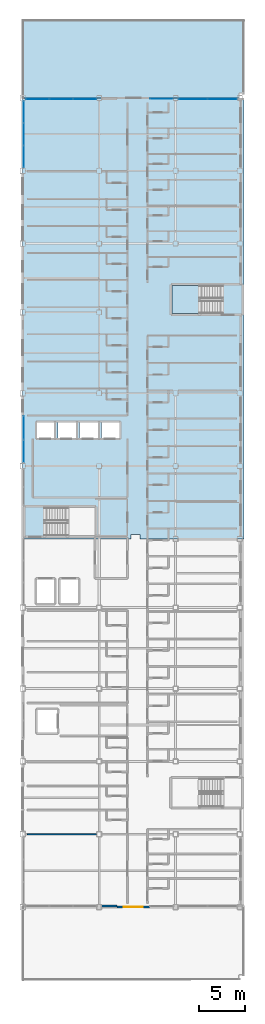
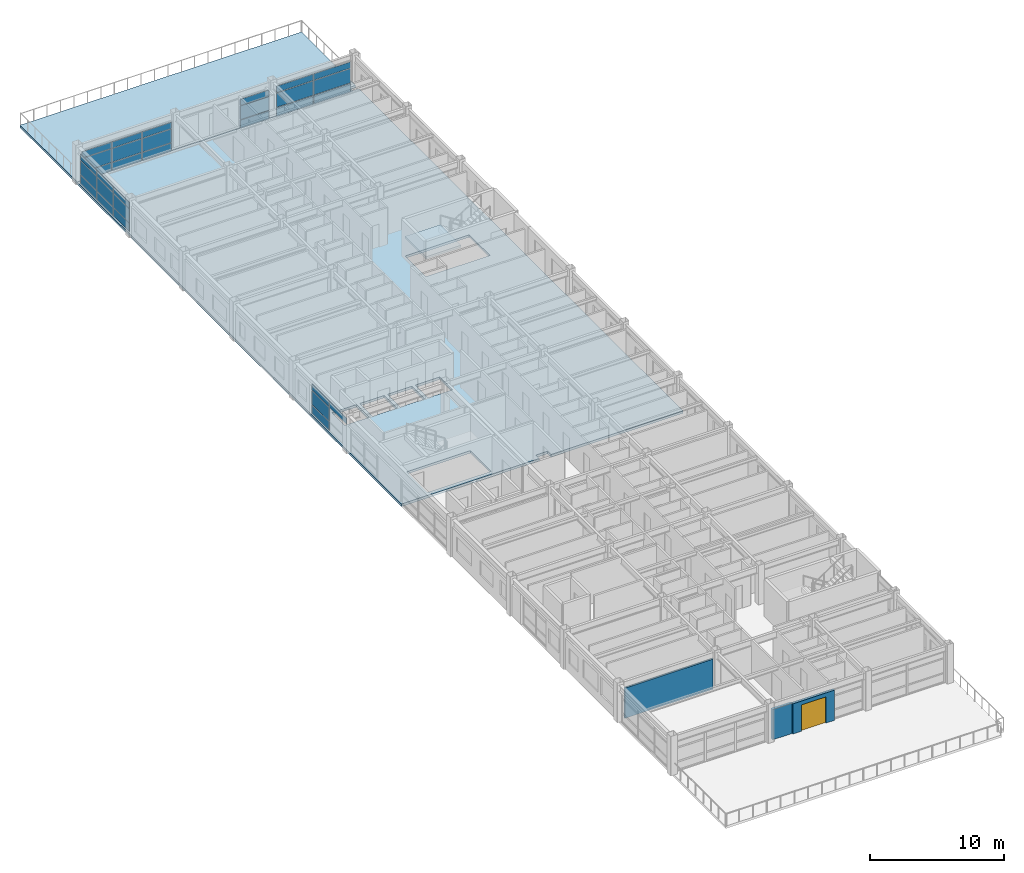
# One storey, part 24 of 36: 31 plates, 3 slabs, 3 walls, 1 door, 1 opening, 6 elements without a shape of their own.
"""IFC4 building model written with IfcOpenShell, lengths in metres."""

from ifc_helpers import new_model, si_unit, direction, frame, frame_2d, origin, origin_2d, place, context, subcontext, project, spatial, polyline, rectangle, outline, extrude, material, layer, layer_set, type_object, element, fill, aggregate, save


model = new_model("IFC4")

# Units and contexts
model_context = context("Model", 3, precision=1e-05, world=origin(), true_north=direction((0.0, 1.0)))
body_context = subcontext(model_context, "Body", "Model", "MODEL_VIEW")
ifc_project = project(units=[si_unit("LENGTHUNIT", "METRE"), si_unit("AREAUNIT", "SQUARE_METRE"), si_unit("VOLUMEUNIT", "CUBIC_METRE"), si_unit("PLANEANGLEUNIT", "RADIAN"), si_unit("MASSUNIT", "GRAM", prefix="KILO")], contexts=[model_context])

# Site, building, storey
site_placement = place(None, origin())
site = spatial("IfcSite", under=ifc_project, at=site_placement, CompositionType="ELEMENT")
building_placement = place(site_placement, origin())
building = spatial("IfcBuilding", under=site, at=building_placement, Name="Kazehara Bluff Congress Hotel", CompositionType="ELEMENT")
storey_placement = place(building_placement, frame((0.0, 0.0, 31.800048828125)))
storey = spatial("IfcBuildingStorey", under=building, at=storey_placement, Name="L07", CompositionType="ELEMENT", Elevation=31.800048828125)

# Curtain wall, plates
ifc_material_1 = material(Name="Anodised aluminium", Category="aluminium")
ifc_layer_1 = layer(ifc_material_1, 0.159912109375)
ifc_layer_set_1 = layer_set([ifc_layer_1], Name="Anodised aluminium")
curtain_wall_type_1 = type_object("IfcCurtainWallType", Name="TP-CW-182", PredefinedType="NOTDEFINED", material=ifc_layer_set_1)
curtain_wall_1_placement = place(storey_placement, origin())
curtain_wall_1 = element("IfcCurtainWall", 1, at=curtain_wall_1_placement, inside=storey, type_object=curtain_wall_type_1, Name="L07 curtain wall CW-182 CW-ENC-V5-L07-14791-9680", PredefinedType="NOTDEFINED")
ifc_material_2 = material(Name="Insulated low-E double glazing", Category="glass")
ifc_layer_2 = layer(ifc_material_2, 0.028076171875)
ifc_layer_set_2 = layer_set([ifc_layer_2], Name="Insulated low-E double glazing")
plate_type_1 = type_object("IfcPlateType", Name="TP-CWP-01", PredefinedType="CURTAIN_PANEL", material=ifc_layer_set_2)
plate_1_placement = place(storey_placement, frame((145.3203125, 96.800048828125, 0.06494140625), z_axis=(0.0, 0.0, 1.0), x_axis=(1.0, 0.0, 0.0)))
plate_1 = element("IfcPlate", 2, at=plate_1_placement, type_object=plate_type_1, Name="CW-182 panel 1.1", PredefinedType="CURTAIN_PANEL", context=body_context, shape_type="SweptSolid", body=[
    extrude(rectangle(XDim=2.5107421875, YDim=0.028076171875, at=origin_2d()), origin(), (0.0, 0.0, 1.0), 0.7275390625),
])
plate_2_placement = place(storey_placement, frame((145.3203125, 96.800048828125, 0.857421875), z_axis=(0.0, 0.0, 1.0), x_axis=(1.0, 0.0, 0.0)))
plate_2 = element("IfcPlate", 3, at=plate_2_placement, type_object=plate_type_1, Name="CW-182 panel 1.2", PredefinedType="CURTAIN_PANEL", context=body_context, shape_type="SweptSolid", body=[
    extrude(rectangle(XDim=2.5107421875, YDim=0.028076171875, at=origin_2d()), origin(), (0.0, 0.0, 1.0), 1.215087890625),
])
plate_3_placement = place(storey_placement, frame((145.3203125, 96.800048828125, 2.1376953125), z_axis=(0.0, 0.0, 1.0), x_axis=(1.0, 0.0, 0.0)))
plate_3 = element("IfcPlate", 4, at=plate_3_placement, type_object=plate_type_1, Name="CW-182 panel 1.3", PredefinedType="CURTAIN_PANEL", context=body_context, shape_type="SweptSolid", body=[
    extrude(rectangle(XDim=2.5107421875, YDim=0.028076171875, at=origin_2d()), origin(), (0.0, 0.0, 1.0), 0.552490234375),
])
plate_4_placement = place(storey_placement, frame((147.91259765625, 96.800048828125, 0.06494140625), z_axis=(0.0, 0.0, 1.0), x_axis=(1.0, 0.0, 0.0)))
plate_4 = element("IfcPlate", 5, at=plate_4_placement, type_object=plate_type_1, Name="CW-182 panel 2.1", PredefinedType="CURTAIN_PANEL", context=body_context, shape_type="SweptSolid", body=[
    extrude(rectangle(XDim=2.543212890625, YDim=0.028076171875, at=origin_2d()), origin(), (0.0, 0.0, 1.0), 0.7275390625),
])
plate_5_placement = place(storey_placement, frame((147.91259765625, 96.800048828125, 0.857421875), z_axis=(0.0, 0.0, 1.0), x_axis=(1.0, 0.0, 0.0)))
plate_5 = element("IfcPlate", 6, at=plate_5_placement, type_object=plate_type_1, Name="CW-182 panel 2.2", PredefinedType="CURTAIN_PANEL", context=body_context, shape_type="SweptSolid", body=[
    extrude(rectangle(XDim=2.543212890625, YDim=0.028076171875, at=origin_2d()), origin(), (0.0, 0.0, 1.0), 1.215087890625),
])
plate_6_placement = place(storey_placement, frame((147.91259765625, 96.800048828125, 2.1376953125), z_axis=(0.0, 0.0, 1.0), x_axis=(1.0, 0.0, 0.0)))
plate_6 = element("IfcPlate", 7, at=plate_6_placement, type_object=plate_type_1, Name="CW-182 panel 2.3", PredefinedType="CURTAIN_PANEL", context=body_context, shape_type="SweptSolid", body=[
    extrude(rectangle(XDim=2.543212890625, YDim=0.028076171875, at=origin_2d()), origin(), (0.0, 0.0, 1.0), 0.552490234375),
])
plate_7_placement = place(storey_placement, frame((150.504638671875, 96.800048828125, 0.06494140625), z_axis=(0.0, 0.0, 1.0), x_axis=(1.0, 0.0, 0.0)))
plate_7 = element("IfcPlate", 8, at=plate_7_placement, type_object=plate_type_1, Name="CW-182 panel 3.1", PredefinedType="CURTAIN_PANEL", context=body_context, shape_type="SweptSolid", body=[
    extrude(rectangle(XDim=2.5107421875, YDim=0.028076171875, at=origin_2d()), origin(), (0.0, 0.0, 1.0), 0.7275390625),
])
plate_8_placement = place(storey_placement, frame((150.504638671875, 96.800048828125, 0.857421875), z_axis=(0.0, 0.0, 1.0), x_axis=(1.0, 0.0, 0.0)))
plate_8 = element("IfcPlate", 9, at=plate_8_placement, type_object=plate_type_1, Name="CW-182 panel 3.2", PredefinedType="CURTAIN_PANEL", context=body_context, shape_type="SweptSolid", body=[
    extrude(rectangle(XDim=2.5107421875, YDim=0.028076171875, at=origin_2d()), origin(), (0.0, 0.0, 1.0), 1.215087890625),
])
plate_9_placement = place(storey_placement, frame((150.504638671875, 96.800048828125, 2.1376953125), z_axis=(0.0, 0.0, 1.0), x_axis=(1.0, 0.0, 0.0)))
plate_9 = element("IfcPlate", 10, at=plate_9_placement, type_object=plate_type_1, Name="CW-182 panel 3.3", PredefinedType="CURTAIN_PANEL", context=body_context, shape_type="SweptSolid", body=[
    extrude(rectangle(XDim=2.5107421875, YDim=0.028076171875, at=origin_2d()), origin(), (0.0, 0.0, 1.0), 0.552490234375),
])
aggregate(curtain_wall_1, [plate_1, plate_2, plate_3, plate_4, plate_5, plate_6, plate_7, plate_8, plate_9])

ifc_material_3 = material(Name="Anodised aluminium", Category="aluminium")
ifc_layer_3 = layer(ifc_material_3, 0.159912109375)
ifc_layer_set_3 = layer_set([ifc_layer_3], Name="Anodised aluminium")
curtain_wall_type_2 = type_object("IfcCurtainWallType", Name="TP-CW-173", PredefinedType="NOTDEFINED", material=ifc_layer_set_3)
curtain_wall_2_placement = place(storey_placement, origin())
curtain_wall_2 = element("IfcCurtainWall", 11, at=curtain_wall_2_placement, inside=storey, type_object=curtain_wall_type_2, Name="L07 curtain wall CW-173 CW-ENC-V5-L07-16402-9680", PredefinedType="NOTDEFINED")
plate_10_placement = place(storey_placement, frame((162.4150390625, 96.800048828125, 0.06005859375), z_axis=(0.0, 0.0, 1.0), x_axis=(1.0, 0.0, 0.0)))
plate_10 = element("IfcPlate", 12, at=plate_10_placement, type_object=plate_type_1, Name="CW-173 panel 1.1", PredefinedType="CURTAIN_PANEL", context=body_context, shape_type="SweptSolid", body=[
    extrude(rectangle(XDim=3.159912109375, YDim=0.028076171875, at=origin_2d()), origin(), (0.0, 0.0, 1.0), 0.764892578125),
])
plate_11_placement = place(storey_placement, frame((162.4150390625, 96.800048828125, 0.885009765625), z_axis=(0.0, 0.0, 1.0), x_axis=(1.0, 0.0, 0.0)))
plate_11 = element("IfcPlate", 13, at=plate_11_placement, type_object=plate_type_1, Name="CW-173 panel 1.2", PredefinedType="CURTAIN_PANEL", context=body_context, shape_type="SweptSolid", body=[
    extrude(rectangle(XDim=3.159912109375, YDim=0.028076171875, at=origin_2d()), origin(), (0.0, 0.0, 1.0), 1.2900390625),
])
plate_12_placement = place(storey_placement, frame((162.4150390625, 96.800048828125, 2.23486328125), z_axis=(0.0, 0.0, 1.0), x_axis=(1.0, 0.0, 0.0)))
plate_12 = element("IfcPlate", 14, at=plate_12_placement, type_object=plate_type_1, Name="CW-173 panel 1.3", PredefinedType="CURTAIN_PANEL", context=body_context, shape_type="SweptSolid", body=[
    extrude(rectangle(XDim=3.159912109375, YDim=0.028076171875, at=origin_2d()), origin(), (0.0, 0.0, 1.0), 0.56005859375),
])
plate_13_placement = place(storey_placement, frame((165.635009765625, 96.800048828125, 0.06005859375), z_axis=(0.0, 0.0, 1.0), x_axis=(1.0, 0.0, 0.0)))
plate_13 = element("IfcPlate", 15, at=plate_13_placement, type_object=plate_type_1, Name="CW-173 panel 2.1", PredefinedType="CURTAIN_PANEL", context=body_context, shape_type="SweptSolid", body=[
    extrude(rectangle(XDim=3.159912109375, YDim=0.028076171875, at=origin_2d()), origin(), (0.0, 0.0, 1.0), 0.764892578125),
])
plate_14_placement = place(storey_placement, frame((165.635009765625, 96.800048828125, 0.885009765625), z_axis=(0.0, 0.0, 1.0), x_axis=(1.0, 0.0, 0.0)))
plate_14 = element("IfcPlate", 16, at=plate_14_placement, type_object=plate_type_1, Name="CW-173 panel 2.2", PredefinedType="CURTAIN_PANEL", context=body_context, shape_type="SweptSolid", body=[
    extrude(rectangle(XDim=3.159912109375, YDim=0.028076171875, at=origin_2d()), origin(), (0.0, 0.0, 1.0), 1.2900390625),
])
plate_15_placement = place(storey_placement, frame((165.635009765625, 96.800048828125, 2.23486328125), z_axis=(0.0, 0.0, 1.0), x_axis=(1.0, 0.0, 0.0)))
plate_15 = element("IfcPlate", 17, at=plate_15_placement, type_object=plate_type_1, Name="CW-173 panel 2.3", PredefinedType="CURTAIN_PANEL", context=body_context, shape_type="SweptSolid", body=[
    extrude(rectangle(XDim=3.159912109375, YDim=0.028076171875, at=origin_2d()), origin(), (0.0, 0.0, 1.0), 0.56005859375),
])
aggregate(curtain_wall_2, [plate_10, plate_11, plate_12, plate_13, plate_14, plate_15])

ifc_material_4 = material(Name="Anodised aluminium", Category="aluminium")
ifc_layer_4 = layer(ifc_material_4, 0.159912109375)
ifc_layer_set_4 = layer_set([ifc_layer_4], Name="Anodised aluminium")
curtain_wall_type_3 = type_object("IfcCurtainWallType", Name="TP-CW-179", PredefinedType="NOTDEFINED", material=ifc_layer_set_4)
curtain_wall_3_placement = place(storey_placement, origin())
curtain_wall_3 = element("IfcCurtainWall", 18, at=curtain_wall_3_placement, inside=storey, type_object=curtain_wall_type_3, Name="L07 curtain wall CW-179 CW-ENC-V5-L07-14380-5938", PredefinedType="NOTDEFINED")
plate_16_placement = place(storey_placement, frame((143.800048828125, 58.077392578125, 2.184814453125), z_axis=(0.0, 0.0, 1.0), x_axis=(0.0, 1.0, 0.0)))
plate_16 = element("IfcPlate", 19, at=plate_16_placement, type_object=plate_type_1, Name="CW-179 panel 1.3", PredefinedType="CURTAIN_PANEL", context=body_context, shape_type="SweptSolid", body=[
    extrude(rectangle(XDim=2.534912109375, YDim=0.028076171875, at=origin_2d()), origin(), (0.0, 0.0, 1.0), 0.56005859375),
])
plate_17_placement = place(storey_placement, frame((143.800048828125, 60.672607421875, 0.06005859375), z_axis=(0.0, 0.0, 1.0), x_axis=(0.0, 1.0, 0.0)))
plate_17 = element("IfcPlate", 20, at=plate_17_placement, type_object=plate_type_1, Name="CW-179 panel 2.1", PredefinedType="CURTAIN_PANEL", context=body_context, shape_type="SweptSolid", body=[
    extrude(rectangle(XDim=2.534912109375, YDim=0.028076171875, at=origin_2d()), origin(), (0.0, 0.0, 1.0), 0.75),
])
plate_18_placement = place(storey_placement, frame((143.800048828125, 60.672607421875, 0.8701171875), z_axis=(0.0, 0.0, 1.0), x_axis=(0.0, 1.0, 0.0)))
plate_18 = element("IfcPlate", 21, at=plate_18_placement, type_object=plate_type_1, Name="CW-179 panel 2.2", PredefinedType="CURTAIN_PANEL", context=body_context, shape_type="SweptSolid", body=[
    extrude(rectangle(XDim=2.534912109375, YDim=0.028076171875, at=origin_2d()), origin(), (0.0, 0.0, 1.0), 1.2548828125),
])
plate_19_placement = place(storey_placement, frame((143.800048828125, 60.672607421875, 2.184814453125), z_axis=(0.0, 0.0, 1.0), x_axis=(0.0, 1.0, 0.0)))
plate_19 = element("IfcPlate", 22, at=plate_19_placement, type_object=plate_type_1, Name="CW-179 panel 2.3", PredefinedType="CURTAIN_PANEL", context=body_context, shape_type="SweptSolid", body=[
    extrude(rectangle(XDim=2.534912109375, YDim=0.028076171875, at=origin_2d()), origin(), (0.0, 0.0, 1.0), 0.56005859375),
])
aggregate(curtain_wall_3, [plate_16, plate_17, plate_18, plate_19])

ifc_material_5 = material(Name="Anodised aluminium", Category="aluminium")
ifc_layer_5 = layer(ifc_material_5, 0.159912109375)
ifc_layer_set_5 = layer_set([ifc_layer_5], Name="Anodised aluminium")
curtain_wall_type_4 = type_object("IfcCurtainWallType", Name="TP-CW-184", PredefinedType="NOTDEFINED", material=ifc_layer_set_5)
curtain_wall_4_placement = place(storey_placement, origin())
curtain_wall_4 = element("IfcCurtainWall", 23, at=curtain_wall_4_placement, inside=storey, type_object=curtain_wall_type_4, Name="L07 curtain wall CW-184 CW-ENC-V5-L07-14380-9290", PredefinedType="NOTDEFINED")
plate_20_placement = place(storey_placement, frame((143.800048828125, 90.449462890625, 0.06494140625), z_axis=(0.0, 0.0, 1.0), x_axis=(0.0, 1.0, 0.0)))
plate_20 = element("IfcPlate", 24, at=plate_20_placement, type_object=plate_type_1, Name="CW-184 panel 1.1", PredefinedType="CURTAIN_PANEL", context=body_context, shape_type="SweptSolid", body=[
    extrude(rectangle(XDim=2.369140625, YDim=0.028076171875, at=origin_2d()), origin(), (0.0, 0.0, 1.0), 0.742431640625),
])
plate_21_placement = place(storey_placement, frame((143.800048828125, 90.449462890625, 0.87255859375), z_axis=(0.0, 0.0, 1.0), x_axis=(0.0, 1.0, 0.0)))
plate_21 = element("IfcPlate", 25, at=plate_21_placement, type_object=plate_type_1, Name="CW-184 panel 1.2", PredefinedType="CURTAIN_PANEL", context=body_context, shape_type="SweptSolid", body=[
    extrude(rectangle(XDim=2.369140625, YDim=0.028076171875, at=origin_2d()), origin(), (0.0, 0.0, 1.0), 1.25),
])
plate_22_placement = place(storey_placement, frame((143.800048828125, 90.449462890625, 2.1875), z_axis=(0.0, 0.0, 1.0), x_axis=(0.0, 1.0, 0.0)))
plate_22 = element("IfcPlate", 26, at=plate_22_placement, type_object=plate_type_1, Name="CW-184 panel 1.3", PredefinedType="CURTAIN_PANEL", context=body_context, shape_type="SweptSolid", body=[
    extrude(rectangle(XDim=2.369140625, YDim=0.028076171875, at=origin_2d()), origin(), (0.0, 0.0, 1.0), 0.552490234375),
])
plate_23_placement = place(storey_placement, frame((143.800048828125, 92.89990234375, 0.06494140625), z_axis=(0.0, 0.0, 1.0), x_axis=(0.0, 1.0, 0.0)))
plate_23 = element("IfcPlate", 27, at=plate_23_placement, type_object=plate_type_1, Name="CW-184 panel 2.1", PredefinedType="CURTAIN_PANEL", context=body_context, shape_type="SweptSolid", body=[
    extrude(rectangle(XDim=2.401611328125, YDim=0.028076171875, at=origin_2d()), origin(), (0.0, 0.0, 1.0), 0.742431640625),
])
plate_24_placement = place(storey_placement, frame((143.800048828125, 92.89990234375, 0.87255859375), z_axis=(0.0, 0.0, 1.0), x_axis=(0.0, 1.0, 0.0)))
plate_24 = element("IfcPlate", 28, at=plate_24_placement, type_object=plate_type_1, Name="CW-184 panel 2.2", PredefinedType="CURTAIN_PANEL", context=body_context, shape_type="SweptSolid", body=[
    extrude(rectangle(XDim=2.401611328125, YDim=0.028076171875, at=origin_2d()), origin(), (0.0, 0.0, 1.0), 1.25),
])
plate_25_placement = place(storey_placement, frame((143.800048828125, 92.89990234375, 2.1875), z_axis=(0.0, 0.0, 1.0), x_axis=(0.0, 1.0, 0.0)))
plate_25 = element("IfcPlate", 29, at=plate_25_placement, type_object=plate_type_1, Name="CW-184 panel 2.3", PredefinedType="CURTAIN_PANEL", context=body_context, shape_type="SweptSolid", body=[
    extrude(rectangle(XDim=2.401611328125, YDim=0.028076171875, at=origin_2d()), origin(), (0.0, 0.0, 1.0), 0.552490234375),
])
plate_26_placement = place(storey_placement, frame((143.800048828125, 95.350341796875, 0.06494140625), z_axis=(0.0, 0.0, 1.0), x_axis=(0.0, 1.0, 0.0)))
plate_26 = element("IfcPlate", 30, at=plate_26_placement, type_object=plate_type_1, Name="CW-184 panel 3.1", PredefinedType="CURTAIN_PANEL", context=body_context, shape_type="SweptSolid", body=[
    extrude(rectangle(XDim=2.369140625, YDim=0.028076171875, at=origin_2d()), origin(), (0.0, 0.0, 1.0), 0.742431640625),
])
plate_27_placement = place(storey_placement, frame((143.800048828125, 95.350341796875, 0.87255859375), z_axis=(0.0, 0.0, 1.0), x_axis=(0.0, 1.0, 0.0)))
plate_27 = element("IfcPlate", 31, at=plate_27_placement, type_object=plate_type_1, Name="CW-184 panel 3.2", PredefinedType="CURTAIN_PANEL", context=body_context, shape_type="SweptSolid", body=[
    extrude(rectangle(XDim=2.369140625, YDim=0.028076171875, at=origin_2d()), origin(), (0.0, 0.0, 1.0), 1.25),
])
plate_28_placement = place(storey_placement, frame((143.800048828125, 95.350341796875, 2.1875), z_axis=(0.0, 0.0, 1.0), x_axis=(0.0, 1.0, 0.0)))
plate_28 = element("IfcPlate", 32, at=plate_28_placement, type_object=plate_type_1, Name="CW-184 panel 3.3", PredefinedType="CURTAIN_PANEL", context=body_context, shape_type="SweptSolid", body=[
    extrude(rectangle(XDim=2.369140625, YDim=0.028076171875, at=origin_2d()), origin(), (0.0, 0.0, 1.0), 0.552490234375),
])
aggregate(curtain_wall_4, [plate_20, plate_21, plate_22, plate_23, plate_24, plate_25, plate_26, plate_27, plate_28])

ifc_material_6 = material(Name="Anodised aluminium", Category="aluminium")
ifc_layer_6 = layer(ifc_material_6, 0.159912109375)
ifc_layer_set_6 = layer_set([ifc_layer_6], Name="Anodised aluminium")
curtain_wall_type_5 = type_object("IfcCurtainWallType", Name="TP-CW-183", PredefinedType="NOTDEFINED", material=ifc_layer_set_6)
curtain_wall_5_placement = place(storey_placement, origin())
curtain_wall_5 = element("IfcCurtainWall", 33, at=curtain_wall_5_placement, inside=storey, type_object=curtain_wall_type_5, Name="L07 curtain wall CW-183 CW-ENC-V5-L07-15894-9680", PredefinedType="NOTDEFINED")
ifc_material_7 = material(Name="Insulated low-E double glazing", Category="glass")
ifc_layer_7 = layer(ifc_material_7, 0.02001953125)
ifc_layer_set_7 = layer_set([ifc_layer_7], Name="Insulated low-E double glazing")
plate_type_2 = type_object("IfcPlateType", Name="TP-CWP-03", PredefinedType="CURTAIN_PANEL", material=ifc_layer_set_7)
plate_29_placement = place(storey_placement, frame((158.9375, 96.800048828125, 0.06005859375), z_axis=(0.0, 0.0, 1.0), x_axis=(1.0, 0.0, 0.0)))
plate_29 = element("IfcPlate", 34, at=plate_29_placement, type_object=plate_type_2, Name="CW-183 panel 1.1", PredefinedType="CURTAIN_PANEL", context=body_context, shape_type="SweptSolid", body=[
    extrude(rectangle(XDim=2.455078125, YDim=0.02001953125, at=origin_2d()), origin(), (0.0, 0.0, 1.0), 0.735107421875),
])
plate_30_placement = place(storey_placement, frame((158.9375, 96.800048828125, 0.85498046875), z_axis=(0.0, 0.0, 1.0), x_axis=(1.0, 0.0, 0.0)))
plate_30 = element("IfcPlate", 35, at=plate_30_placement, type_object=plate_type_2, Name="CW-183 panel 1.2", PredefinedType="CURTAIN_PANEL", context=body_context, shape_type="SweptSolid", body=[
    extrude(rectangle(XDim=2.455078125, YDim=0.02001953125, at=origin_2d()), origin(), (0.0, 0.0, 1.0), 1.219970703125),
])
plate_31_placement = place(storey_placement, frame((158.9375, 96.800048828125, 2.135009765625), z_axis=(0.0, 0.0, 1.0), x_axis=(1.0, 0.0, 0.0)))
plate_31 = element("IfcPlate", 36, at=plate_31_placement, type_object=plate_type_2, Name="CW-183 panel 1.3", PredefinedType="CURTAIN_PANEL", context=body_context, shape_type="SweptSolid", body=[
    extrude(rectangle(XDim=2.455078125, YDim=0.02001953125, at=origin_2d()), origin(), (0.0, 0.0, 1.0), 0.56005859375),
])
aggregate(curtain_wall_5, [plate_29, plate_30, plate_31])

# Slabs
ifc_material_8 = material(Name="Concrete C36/45", Category="concrete")
ifc_layer_8 = layer(ifc_material_8, 0.219970703125)
ifc_layer_set_8 = layer_set([ifc_layer_8], Name="Concrete C36/45")
slab_type_1 = type_object("IfcSlabType", Name="TP-SL-220", PredefinedType="FLOOR", material=ifc_layer_set_8)
slab_1_placement = place(storey_placement, frame((0.0, 0.0, -0.219970703125)))
element("IfcSlab", 37, at=slab_1_placement, inside=storey, type_object=slab_type_1, Name="L07 V5 composite floor slab N", PredefinedType="FLOOR", context=body_context, shape_type="SweptSolid", body=[
    extrude(outline(polyline([(168.0, 96.89990234375), (168.0, 48.449951171875), (156.60009765625, 48.449951171875), (156.60009765625, 48.949951171875), (155.60009765625, 48.949951171875), (155.60009765625, 48.449951171875), (143.699951171875, 48.449951171875), (143.699951171875, 96.89990234375), (168.0, 96.89990234375)]), holes=[polyline([(146.125, 48.800048828125), (151.64990234375, 48.800048828125), (151.64990234375, 51.89990234375), (146.125, 51.89990234375), (146.125, 48.800048828125)]), polyline([(165.625, 76.300048828125), (160.10009765625, 76.300048828125), (160.10009765625, 73.199951171875), (165.625, 73.199951171875), (165.625, 76.300048828125)]), polyline([(145.14990234375, 59.449951171875), (147.25, 59.449951171875), (147.25, 61.35009765625), (145.14990234375, 61.35009765625), (145.14990234375, 59.449951171875)]), polyline([(147.550048828125, 59.449951171875), (149.64990234375, 59.449951171875), (149.64990234375, 61.35009765625), (147.550048828125, 61.35009765625), (147.550048828125, 59.449951171875)]), polyline([(149.949951171875, 59.449951171875), (152.050048828125, 59.449951171875), (152.050048828125, 61.35009765625), (149.949951171875, 61.35009765625), (149.949951171875, 59.449951171875)]), polyline([(152.35009765625, 59.449951171875), (154.449951171875, 59.449951171875), (154.449951171875, 61.35009765625), (152.35009765625, 61.35009765625), (152.35009765625, 59.449951171875)])]), origin(), (0.0, 0.0, 1.0), 0.219970703125),
])
ifc_material_9 = material(Name="Concrete C36/45", Category="concrete")
ifc_layer_9 = layer(ifc_material_9, 0.219970703125)
ifc_layer_set_9 = layer_set([ifc_layer_9], Name="Concrete C36/45")
slab_type_2 = type_object("IfcSlabType", Name="TP-SL-TER", PredefinedType="FLOOR", material=ifc_layer_set_9)
slab_2_placement = place(storey_placement, frame((0.0, 0.0, -0.219970703125)))
element("IfcSlab", 38, at=slab_2_placement, inside=storey, type_object=slab_type_2, Name="North Bluff Sky Terrace", PredefinedType="FLOOR", context=body_context, shape_type="SweptSolid", body=[
    extrude(outline(polyline([(143.699951171875, 96.89990234375), (167.5, 96.89990234375), (167.5, 97.39990234375), (168.0, 97.39990234375), (168.0, 105.449951171875), (143.699951171875, 105.449951171875), (143.699951171875, 96.89990234375)])), origin(), (0.0, 0.0, 1.0), 0.219970703125),
])

# Stair, slab
ifc_material_10 = material(Name="Concrete C36/45", Category="concrete")
stair_type = type_object("IfcStairType", Name="TP-ST-T03", PredefinedType="HALF_TURN_STAIR", material=ifc_material_10)
stair_placement = place(storey_placement, origin())
stair = element("IfcStair", 39, at=stair_placement, inside=storey, type_object=stair_type, Name="L07 Escape stair ST-12", PredefinedType="HALF_TURN_STAIR")
ifc_material_11 = material(Name="Concrete C36/45", Category="concrete")
ifc_layer_10 = layer(ifc_material_11, 0.199951171875)
ifc_layer_set_10 = layer_set([ifc_layer_10], Name="Concrete C36/45")
slab_type_3 = type_object("IfcSlabType", Name="TP-SLD-200", PredefinedType="LANDING", material=ifc_layer_set_10)
slab_3_placement = place(storey_placement, frame((0.0, 0.0, 1.599853515625)))
slab_3 = element("IfcSlab", 40, at=slab_3_placement, type_object=slab_type_3, Name="ST-12 landing 1", PredefinedType="LANDING", context=body_context, shape_type="SweptSolid", body=[
    extrude(outline(polyline([(163.1298828125, 76.300048828125), (160.10009765625, 76.300048828125), (160.10009765625, 73.199951171875), (163.1298828125, 73.199951171875), (163.1298828125, 76.300048828125)])), origin(), (0.0, 0.0, 1.0), 0.2001953125),
])
aggregate(stair, [slab_3])

# Wall, opening, door
ifc_material_12 = material(Name="Precast concrete C40/50", Category="concrete")
ifc_layer_11 = layer(ifc_material_12, 0.239990234375)
ifc_layer_set_11 = layer_set([ifc_layer_11], Name="Precast concrete C40/50")
wall_type_1 = type_object("IfcWallType", Name="TP-EW-240", PredefinedType="SOLIDWALL", material=ifc_layer_set_11)
wall_1_placement = place(storey_placement, frame((154.050048828125, 8.0, 0.0), z_axis=(0.0, 0.0, 1.0), x_axis=(1.0, 0.0, 0.0)))
wall_1 = element("IfcWall", 41, at=wall_1_placement, inside=storey, type_object=wall_type_1, Name="South Bluff Sky Terrace access wall", PredefinedType="SOLIDWALL", context=body_context, shape_type="SweptSolid", body=[
    extrude(rectangle(XDim=3.599853515625, YDim=0.239990234375, at=frame_2d((1.7998046875, 0.0))), origin(), (0.0, 0.0, 1.0), 2.7548828125),
])
opening_placement = place(wall_1_placement, frame((0.75, 0.0, 0.0)))
opening = element("IfcOpeningElement", 42, at=opening_placement, cuts=wall_1, Name="Opening TD-03", PredefinedType="OPENING", context=body_context, shape_type="SweptSolid", body=[
    extrude(rectangle(XDim=2.10009765625, YDim=2.39990234375, at=frame_2d((1.050048828125, 1.199951171875))), frame((0.0, 0.1298828125, 0.0), z_axis=(0.0, -1.0, 0.0), x_axis=(1.0, 0.0, 0.0)), (0.0, 0.0, 1.0), 0.260009765625),
])
ifc_material_13 = material(Name="Anodised aluminium", Category="aluminium")
door_type = type_object("IfcDoorType", Name="TP-TD-03", OperationType="SLIDING_TO_LEFT", PredefinedType="DOOR", material=ifc_material_13)
door_placement = place(opening_placement, origin())
door = element("IfcDoor", 43, at=door_placement, inside=storey, type_object=door_type, Name="South Bluff Sky Terrace terrace door", OperationType="SLIDING_TO_LEFT", OverallHeight=2.39990234375, OverallWidth=2.10009765625, PredefinedType="DOOR", context=body_context, shape_type="SweptSolid", body=[
    extrude(rectangle(XDim=2.10009765625, YDim=2.39990234375, at=frame_2d((1.050048828125, 1.199951171875))), frame((0.0, 0.02490234375, 0.0), z_axis=(0.0, -1.0, 0.0), x_axis=(1.0, 0.0, 0.0)), (0.0, 0.0, 1.0), 0.050048828125),
])
fill(opening, door)

# Walls
wall_2_placement = place(storey_placement, frame((154.050048828125, 8.10009765625, 0.0), z_axis=(0.0, 0.0, 1.0), x_axis=(-1.0, 0.0, 0.0)))
element("IfcWall", 44, at=wall_2_placement, inside=storey, type_object=wall_type_1, Name="L07 V5 perimeter spandrel pier 744", PredefinedType="SOLIDWALL", context=body_context, shape_type="SweptSolid", body=[
    extrude(rectangle(XDim=1.675048828125, YDim=0.239990234375, at=frame_2d((0.83740234375, 0.0))), origin(), (0.0, 0.0, 1.0), 2.7548828125),
])
ifc_material_14 = material(Name="Fire-rated gypsum board stud partition")
ifc_layer_12 = layer(ifc_material_14, 0.14990234375)
ifc_layer_set_12 = layer_set([ifc_layer_12], Name="Fire-rated gypsum board stud partition")
wall_type_2 = type_object("IfcWallType", Name="TP-PT-150", PredefinedType="PARTITIONING", material=ifc_layer_set_12)
wall_3_placement = place(storey_placement, frame((144.199951171875, 16.0, 0.0), z_axis=(0.0, 0.0, 1.0), x_axis=(1.0, 0.0, 0.0)))
element("IfcWall", 45, at=wall_3_placement, inside=storey, type_object=wall_type_2, Name="L07 partition PT-150 864", PredefinedType="PARTITIONING", context=body_context, shape_type="SweptSolid", body=[
    extrude(rectangle(XDim=7.60498046875, YDim=0.14990234375, at=frame_2d((3.802490234375, 0.0))), origin(), (0.0, 0.0, 1.0), 2.7548828125),
])

save(model, "model.ifc")
